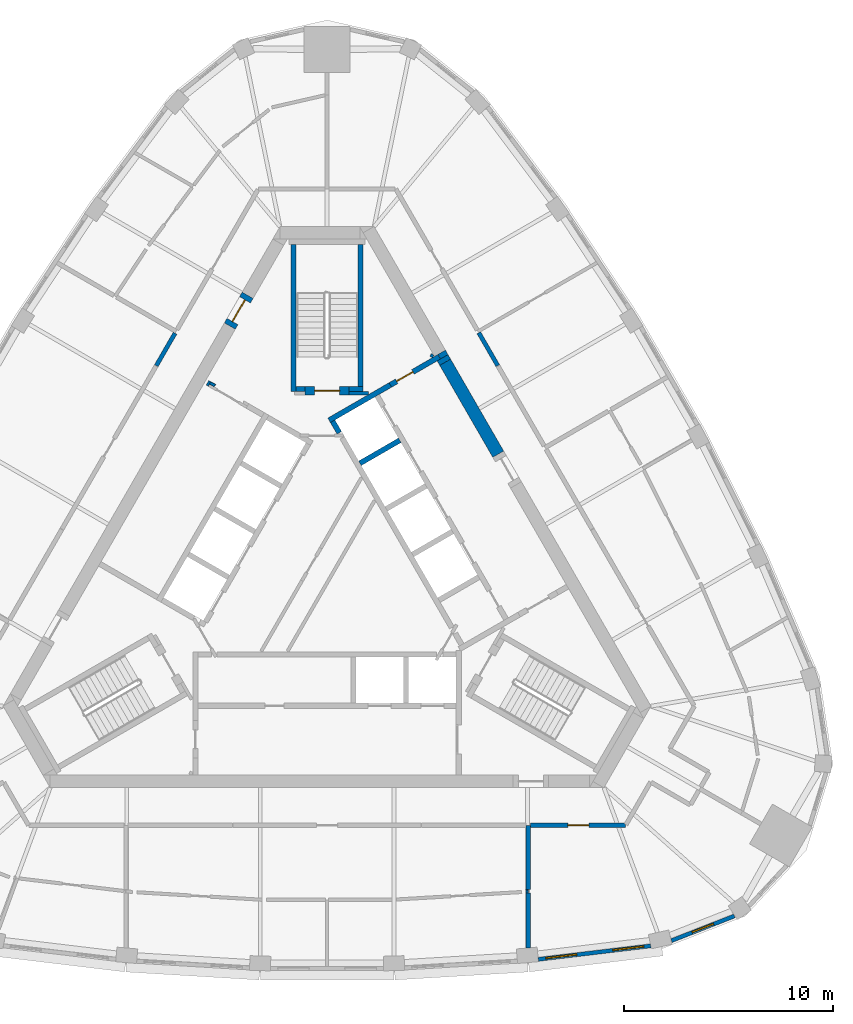
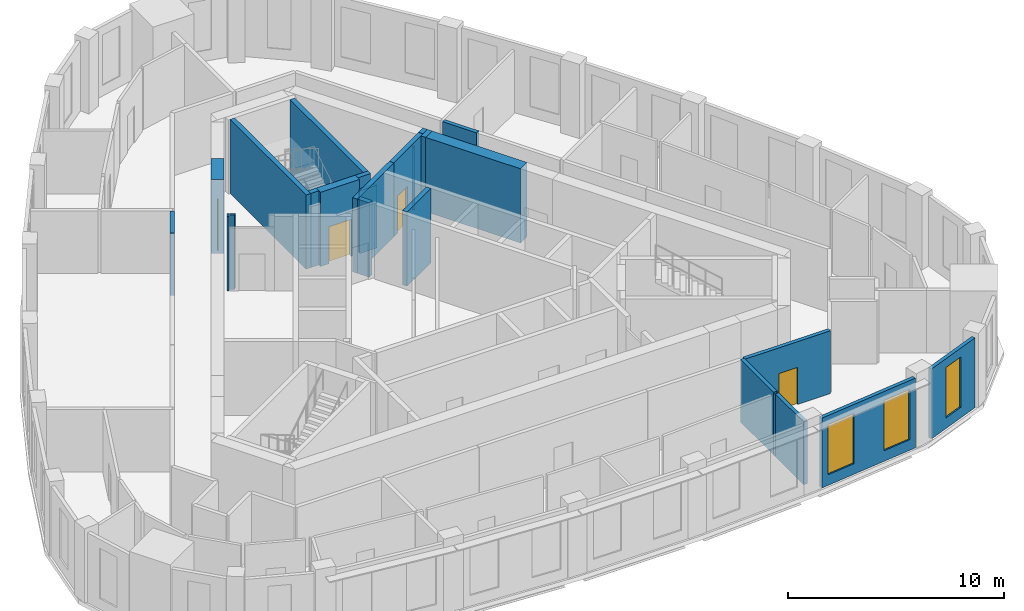
# One storey, part 6 of 10: 25 walls, 4 doors, 3 windows, 7 openings.
"""IFC4 building model written with IfcOpenShell, lengths in metres."""

from ifc_helpers import new_model, si_unit, direction, frame, frame_2d, origin, place, context, subcontext, project, spatial, polyline, rectangle, outline, extrude, material, layer, layer_set, type_object, element, fill, save


model = new_model("IFC4")

# Units and contexts
model_context = context("Model", 3, precision=1e-05, world=origin(), true_north=direction((0.0, 1.0)))
body_context = subcontext(model_context, "Body", "Model", "MODEL_VIEW")
ifc_project = project(units=[si_unit("LENGTHUNIT", "METRE"), si_unit("AREAUNIT", "SQUARE_METRE"), si_unit("VOLUMEUNIT", "CUBIC_METRE"), si_unit("PLANEANGLEUNIT", "RADIAN"), si_unit("MASSUNIT", "GRAM", prefix="KILO")], contexts=[model_context])

# Site, building, storey
site_placement = place(None, origin())
site = spatial("IfcSite", under=ifc_project, at=site_placement, CompositionType="ELEMENT")
building_placement = place(site_placement, origin())
building = spatial("IfcBuilding", under=site, at=building_placement, Name="Mestral Congress Tower", CompositionType="ELEMENT")
storey_placement = place(building_placement, frame((0.0, 0.0, 304.800048828125)))
storey = spatial("IfcBuildingStorey", under=building, at=storey_placement, Name="L71", CompositionType="ELEMENT", Elevation=304.800048828125)

# Walls
ifc_material_1 = material(Name="Fire-rated board partition")
ifc_layer_1 = layer(ifc_material_1, 0.14990234375)
ifc_layer_set_1 = layer_set([ifc_layer_1], Name="Fire-rated board partition")
wall_type_1 = type_object("IfcWallType", Name="Core partition 150", PredefinedType="PARTITIONING", material=ifc_layer_set_1)
wall_1_placement = place(storey_placement, frame((1.050048828125, 8.62548828125, 0.0), z_axis=(0.0, 0.0, 1.0), x_axis=(1.0, 0.0, 0.0)))
element("IfcWall", 1, at=wall_1_placement, inside=storey, type_object=wall_type_1, Name="L71 core wall", PredefinedType="PARTITIONING", context=body_context, shape_type="SweptSolid", body=[
    extrude(rectangle(XDim=0.9287109375, YDim=0.14990234375, at=frame_2d((0.46435546875, 0.0))), origin(), (0.0, 0.0, 1.0), 3.550048828125),
])
wall_2_placement = place(storey_placement, frame((4.97998046875, 10.35791015625, 0.0), z_axis=(0.0, 0.0, 1.0), x_axis=(0.500640202437, 0.86565546709, 0.0)))
element("IfcWall", 2, at=wall_2_placement, inside=storey, type_object=wall_type_1, Name="L71 core wall", PredefinedType="PARTITIONING", context=body_context, shape_type="SweptSolid", body=[
    extrude(rectangle(XDim=0.145751953125, YDim=0.14990234375, at=frame_2d((0.07275390625, 0.0))), origin(), (0.0, 0.0, 1.0), 3.550048828125),
])
ifc_material_2 = material(Name="Concrete C60/75", Category="concrete")
ifc_layer_2 = layer(ifc_material_2, 0.60009765625)
ifc_layer_set_2 = layer_set([ifc_layer_2], Name="Concrete C60/75")
wall_type_2 = type_object("IfcWallType", Name="Core wall RC 600", PredefinedType="SOLIDWALL", material=ifc_layer_set_2)
wall_3_placement = place(storey_placement, frame((5.52880859375, 10.32421875, 0.0), z_axis=(0.0, 0.0, 1.0), x_axis=(0.499122205112, -0.866531606097, 0.0)))
element("IfcWall", 3, at=wall_3_placement, inside=storey, type_object=wall_type_2, Name="L71 core wall", PredefinedType="SOLIDWALL", context=body_context, shape_type="SweptSolid", body=[
    extrude(rectangle(XDim=0.24658203125, YDim=0.60009765625, at=frame_2d((0.123291015625, 0.0))), origin(), (0.0, 0.0, 1.0), 4.199951171875),
])
placement = place(storey_placement, origin())
element("IfcWall", 4, at=placement, inside=storey, type_object=wall_type_2, Name="L71 core wall", PredefinedType="SOLIDWALL", context=body_context, shape_type="SweptSolid", body=[
    extrude(outline(polyline([(5.66357421875, 10.690673828125), (5.78759765625, 10.475830078125), (5.432373046875, 10.270751953125), (5.308349609375, 10.485595703125), (5.66357421875, 10.690673828125)])), origin(), (0.0, 0.0, 1.0), 4.199951171875),
])
wall_5_placement = place(storey_placement, frame((8.19189453125, 5.711181640625, 0.0), z_axis=(0.0, 0.0, 1.0), x_axis=(-0.500006836656, 0.866021456604, 0.0)))
element("IfcWall", 5, at=wall_5_placement, inside=storey, type_object=wall_type_2, Name="L71 core wall", PredefinedType="SOLIDWALL", context=body_context, shape_type="SweptSolid", body=[
    extrude(rectangle(XDim=5.078125, YDim=0.60009765625, at=frame_2d((2.5390625, 0.0))), origin(), (0.0, 0.0, 1.0), 4.199951171875),
])

# Wall, opening, door
wall_6_placement = place(storey_placement, frame((-4.65234375, 11.842041015625, 0.0), z_axis=(0.0, 0.0, 1.0), x_axis=(0.500062241894, 0.865989465428, 0.0)))
wall_6 = element("IfcWall", 6, at=wall_6_placement, inside=storey, type_object=wall_type_2, Name="L71 door wall", PredefinedType="SOLIDWALL", context=body_context, shape_type="SweptSolid", body=[
    extrude(rectangle(XDim=1.699951171875, YDim=0.60009765625, at=frame_2d((0.85009765625, 0.0))), origin(), (0.0, 0.0, 1.0), 4.199951171875),
])
opening_1_placement = place(wall_6_placement, frame((0.25, 0.0, 0.0)))
opening_1 = element("IfcOpeningElement", 7, at=opening_1_placement, cuts=wall_6, Name="Opening XD2", PredefinedType="OPENING", context=body_context, shape_type="SweptSolid", body=[
    extrude(rectangle(XDim=1.199951171875, YDim=2.10009765625, at=frame_2d((0.60009765625, 1.050048828125))), frame((0.0, 0.31005859375, 0.0), z_axis=(0.0, -1.0, 0.0), x_axis=(1.0, 0.0, 0.0)), (0.0, 0.0, 1.0), 0.6201171875),
])
ifc_material_3 = material(Name="Fire-rated steel door set", Category="steel")
door_type_1 = type_object("IfcDoorType", Name="Core door XD 1200x2100", OperationType="SINGLE_SWING_LEFT", PredefinedType="DOOR", material=ifc_material_3)
door_1_placement = place(opening_1_placement, origin())
door_1 = element("IfcDoor", 8, at=door_1_placement, inside=storey, type_object=door_type_1, Name="Door XD2", OperationType="SINGLE_SWING_LEFT", OverallHeight=2.10009765625, OverallWidth=1.199951171875, PredefinedType="DOOR", context=body_context, shape_type="SweptSolid", body=[
    extrude(rectangle(XDim=1.199951171875, YDim=2.10009765625, at=frame_2d((0.60009765625, 1.050048828125))), frame((0.0, 0.02490234375, 0.0), z_axis=(0.0, -1.0, 0.0), x_axis=(1.0, 0.0, 0.0)), (0.0, 0.0, 1.0), 0.050048828125),
])
fill(opening_1, door_1)

# Wall, openings, windows
ifc_material_4 = material(Name="Precast concrete C40/50 with limestone facing", Category="masonry")
ifc_layer_3 = layer(ifc_material_4, 0.18994140625)
ifc_layer_set_3 = layer_set([ifc_layer_3], Name="Precast concrete C40/50 with limestone facing")
wall_type_3 = type_object("IfcWallType", Name="Facade stone wall 190", PredefinedType="SOLIDWALL", material=ifc_layer_set_3)
wall_7_placement = place(storey_placement, frame((10.110595703125, -18.4677734375, 0.0), z_axis=(0.0, 0.0, 1.0), x_axis=(0.992885582795, 0.119072328769, 0.0)))
wall_7 = element("IfcWall", 9, at=wall_7_placement, inside=storey, type_object=wall_type_3, Name="Facade wall F0-04", PredefinedType="SOLIDWALL", context=body_context, shape_type="SweptSolid", body=[
    extrude(rectangle(XDim=5.4150390625, YDim=0.18994140625, at=frame_2d((2.70751953125, 0.0))), origin(), (0.0, 0.0, 1.0), 3.949951171875),
])
opening_2_placement = place(wall_7_placement, frame((0.357421875, 0.0, 0.60009765625)))
opening_2 = element("IfcOpeningElement", 10, at=opening_2_placement, cuts=wall_7, Name="Opening W6", PredefinedType="OPENING", context=body_context, shape_type="SweptSolid", body=[
    extrude(rectangle(XDim=1.5, YDim=2.85009765625, at=frame_2d((0.75, 1.425048828125))), frame((0.0, 0.10498046875, 0.0), z_axis=(0.0, -1.0, 0.0), x_axis=(1.0, 0.0, 0.0)), (0.0, 0.0, 1.0), 0.2099609375),
])
opening_3_placement = place(wall_7_placement, frame((3.592529296875, 0.0, 0.60009765625)))
opening_3 = element("IfcOpeningElement", 11, at=opening_3_placement, cuts=wall_7, Name="Opening W6", PredefinedType="OPENING", context=body_context, shape_type="SweptSolid", body=[
    extrude(rectangle(XDim=1.5, YDim=2.85009765625, at=frame_2d((0.75, 1.425048828125))), frame((0.0, 0.10498046875, 0.0), z_axis=(0.0, -1.0, 0.0), x_axis=(1.0, 0.0, 0.0)), (0.0, 0.0, 1.0), 0.2099609375),
])
ifc_material_5 = material(Name="Clear low-emissivity double glazing", Category="glass")
window_type_1 = type_object("IfcWindowType", Name="Facade punched window 1500 x 2850 sill 600", PartitioningType="SINGLE_PANEL", PredefinedType="WINDOW", material=ifc_material_5)
window_1_placement = place(opening_2_placement, origin())
window_1 = element("IfcWindow", 12, at=window_1_placement, inside=storey, type_object=window_type_1, Name="Window F0-04a", OverallHeight=2.85009765625, OverallWidth=1.5, PartitioningType="SINGLE_PANEL", PredefinedType="WINDOW", context=body_context, shape_type="SweptSolid", body=[
    extrude(rectangle(XDim=1.5, YDim=2.85009765625, at=frame_2d((0.75, 1.425048828125))), frame((0.0, 0.044921875, 0.0), z_axis=(0.0, -1.0, 0.0), x_axis=(1.0, 0.0, 0.0)), (0.0, 0.0, 1.0), 0.06005859375),
])
fill(opening_2, window_1)
window_2_placement = place(opening_3_placement, origin())
window_2 = element("IfcWindow", 13, at=window_2_placement, inside=storey, type_object=window_type_1, Name="Window F0-04b", OverallHeight=2.85009765625, OverallWidth=1.5, PartitioningType="SINGLE_PANEL", PredefinedType="WINDOW", context=body_context, shape_type="SweptSolid", body=[
    extrude(rectangle(XDim=1.5, YDim=2.85009765625, at=frame_2d((0.75, 1.425048828125))), frame((0.0, 0.044921875, 0.0), z_axis=(0.0, -1.0, 0.0), x_axis=(1.0, 0.0, 0.0)), (0.0, 0.0, 1.0), 0.06005859375),
])
fill(opening_3, window_2)

# Wall, opening, window
wall_8_placement = place(storey_placement, frame((16.48291015625, -17.572998046875, 0.0), z_axis=(0.0, 0.0, 1.0), x_axis=(0.93100888477, 0.364996515709, 0.0)))
wall_8 = element("IfcWall", 14, at=wall_8_placement, inside=storey, type_object=wall_type_3, Name="Facade wall K0-0", PredefinedType="SOLIDWALL", context=body_context, shape_type="SweptSolid", body=[
    extrude(rectangle(XDim=3.23681640625, YDim=0.18994140625, at=frame_2d((1.618408203125, 0.0))), origin(), (0.0, 0.0, 1.0), 3.949951171875),
])
opening_4_placement = place(wall_8_placement, frame((1.068359375, 0.0, 0.60009765625)))
opening_4 = element("IfcOpeningElement", 15, at=opening_4_placement, cuts=wall_8, Name="Opening W7", PredefinedType="OPENING", context=body_context, shape_type="SweptSolid", body=[
    extrude(rectangle(XDim=1.10009765625, YDim=2.85009765625, at=frame_2d((0.550048828125, 1.425048828125))), frame((0.0, 0.10498046875, 0.0), z_axis=(0.0, -1.0, 0.0), x_axis=(1.0, 0.0, 0.0)), (0.0, 0.0, 1.0), 0.2099609375),
])
window_type_2 = type_object("IfcWindowType", Name="Facade punched window 1100 x 2850 sill 600", PartitioningType="SINGLE_PANEL", PredefinedType="WINDOW", material=ifc_material_5)
window_3_placement = place(opening_4_placement, origin())
window_3 = element("IfcWindow", 16, at=window_3_placement, inside=storey, type_object=window_type_2, Name="Window K0-0", OverallHeight=2.85009765625, OverallWidth=1.10009765625, PartitioningType="SINGLE_PANEL", PredefinedType="WINDOW", context=body_context, shape_type="SweptSolid", body=[
    extrude(rectangle(XDim=1.10009765625, YDim=2.85009765625, at=frame_2d((0.550048828125, 1.425048828125))), frame((0.0, 0.044921875, 0.0), z_axis=(0.0, -1.0, 0.0), x_axis=(1.0, 0.0, 0.0)), (0.0, 0.0, 1.0), 0.06005859375),
])
fill(opening_4, window_3)

# Walls
ifc_material_6 = material(Name="Plasterboard partition on steel studs", Category="steel")
ifc_layer_4 = layer(ifc_material_6, 0.14990234375)
ifc_layer_set_4 = layer_set([ifc_layer_4], Name="Plasterboard partition on steel studs")
wall_type_4 = type_object("IfcWallType", Name="Office partition 150", PredefinedType="PARTITIONING", material=ifc_layer_set_4)
wall_9_placement = place(storey_placement, frame((9.528076171875, -15.218994140625, 0.0), z_axis=(0.0, 0.0, 1.0), x_axis=(0.992830592569, 0.119529973061, 0.0)))
element("IfcWall", 17, at=wall_9_placement, inside=storey, type_object=wall_type_4, Name="Partition", PredefinedType="PARTITIONING", context=body_context, shape_type="SweptSolid", body=[
    extrude(rectangle(XDim=0.10009765625, YDim=0.14990234375, at=frame_2d((0.050048828125, 0.0))), origin(), (0.0, 0.0, 1.0), 3.550048828125),
])
ifc_material_7 = material(Name="Dense masonry wall, plastered", Category="masonry")
ifc_layer_5 = layer(ifc_material_7, 0.199951171875)
ifc_layer_set_5 = layer_set([ifc_layer_5], Name="Dense masonry wall, plastered")
wall_type_5 = type_object("IfcWallType", Name="Office tenancy wall 200", PredefinedType="PARTITIONING", material=ifc_layer_set_5)
wall_10_placement = place(storey_placement, frame((9.62744140625, -15.28271484375, 0.0), z_axis=(0.0, 0.0, 1.0), x_axis=(0.0, -1.0, 0.0)))
element("IfcWall", 18, at=wall_10_placement, inside=storey, type_object=wall_type_5, Name="Tenancy wall", PredefinedType="PARTITIONING", context=body_context, shape_type="SweptSolid", body=[
    extrude(rectangle(XDim=2.635986328125, YDim=0.199951171875, at=frame_2d((1.31787109375, 0.0))), origin(), (0.0, 0.0, 1.0), 3.550048828125),
])
wall_11_placement = place(storey_placement, frame((9.62744140625, -12.050048828125, 0.0), z_axis=(0.0, 0.0, 1.0), x_axis=(0.0, -1.0, 0.0)))
element("IfcWall", 19, at=wall_11_placement, inside=storey, type_object=wall_type_5, Name="Tenancy wall", PredefinedType="PARTITIONING", context=body_context, shape_type="SweptSolid", body=[
    extrude(rectangle(XDim=3.08154296875, YDim=0.199951171875, at=frame_2d((1.540771484375, 0.0))), origin(), (0.0, 0.0, 1.0), 3.550048828125),
])

# Wall, opening, door
wall_12_placement = place(storey_placement, frame((9.727294921875, -12.050048828125, 0.0), z_axis=(0.0, 0.0, 1.0), x_axis=(1.0, 0.0, 0.0)))
wall_12 = element("IfcWall", 20, at=wall_12_placement, inside=storey, type_object=wall_type_5, Name="Tenancy wall", PredefinedType="PARTITIONING", context=body_context, shape_type="SweptSolid", body=[
    extrude(rectangle(XDim=4.56201171875, YDim=0.199951171875, at=frame_2d((2.281005859375, 0.0))), origin(), (0.0, 0.0, 1.0), 3.550048828125),
])
opening_5_placement = place(wall_12_placement, frame((1.800048828125, 0.0, 0.0)))
opening_5 = element("IfcOpeningElement", 21, at=opening_5_placement, cuts=wall_12, Name="Opening O14-004", PredefinedType="OPENING", context=body_context, shape_type="SweptSolid", body=[
    extrude(rectangle(XDim=1.0, YDim=2.10009765625, at=frame_2d((0.5, 1.050048828125))), frame((0.0, 0.10986328125, 0.0), z_axis=(0.0, -1.0, 0.0), x_axis=(1.0, 0.0, 0.0)), (0.0, 0.0, 1.0), 0.219970703125),
])
ifc_material_8 = material(Name="Fire-rated timber door set", Category="wood")
door_type_2 = type_object("IfcDoorType", Name="Office tenancy entrance door 1000x2100", OperationType="SINGLE_SWING_LEFT", PredefinedType="DOOR", material=ifc_material_8)
door_2_placement = place(opening_5_placement, origin())
door_2 = element("IfcDoor", 22, at=door_2_placement, inside=storey, type_object=door_type_2, Name="Door O14-004", OperationType="SINGLE_SWING_RIGHT", OverallHeight=2.10009765625, OverallWidth=1.0, PredefinedType="DOOR", context=body_context, shape_type="SweptSolid", body=[
    extrude(rectangle(XDim=1.0, YDim=2.10009765625, at=frame_2d((0.5, 1.050048828125))), frame((0.0, 0.02490234375, 0.0), z_axis=(0.0, -1.0, 0.0), x_axis=(1.0, 0.0, 0.0)), (0.0, 0.0, 1.0), 0.050048828125),
])
fill(opening_5, door_2)

# Walls
wall_13_placement = place(storey_placement, frame((8.170654296875, 9.947998046875, 0.0), z_axis=(0.0, 0.0, 1.0), x_axis=(-0.500044545065, 0.865999684151, 0.0)))
element("IfcWall", 23, at=wall_13_placement, inside=storey, type_object=wall_type_5, Name="Tenancy wall", PredefinedType="PARTITIONING", context=body_context, shape_type="SweptSolid", body=[
    extrude(rectangle(XDim=1.815185546875, YDim=0.199951171875, at=frame_2d((0.90771484375, 0.0))), origin(), (0.0, 0.0, 1.0), 3.550048828125),
])
wall_14_placement = place(storey_placement, frame((-7.275390625, 11.49853515625, 0.0), z_axis=(0.0, 0.0, 1.0), x_axis=(-0.500025407441, -0.866010734295, 0.0)))
element("IfcWall", 24, at=wall_14_placement, inside=storey, type_object=wall_type_5, Name="Tenancy wall", PredefinedType="PARTITIONING", context=body_context, shape_type="SweptSolid", body=[
    extrude(rectangle(XDim=1.79052734375, YDim=0.199951171875, at=frame_2d((0.895263671875, 0.0))), origin(), (0.0, 0.0, 1.0), 3.550048828125),
])
ifc_layer_6 = layer(ifc_material_2, 0.25)
ifc_layer_set_6 = layer_set([ifc_layer_6], Name="Concrete C60/75")
wall_type_6 = type_object("IfcWallType", Name="Shaft wall RC 250", PredefinedType="SOLIDWALL", material=ifc_layer_set_6)
wall_15_placement = place(storey_placement, frame((3.02783203125, 9.022705078125, 0.0), z_axis=(0.0, 0.0, 1.0), x_axis=(-0.866036587186, -0.49998062928, 0.0)))
element("IfcWall", 25, at=wall_15_placement, inside=storey, type_object=wall_type_6, Name="L71 core wall", PredefinedType="SOLIDWALL", context=body_context, shape_type="SweptSolid", body=[
    extrude(rectangle(XDim=3.383544921875, YDim=0.25, at=frame_2d((1.69189453125, 0.0))), origin(), (0.0, 0.0, 1.0), 4.199951171875),
])
wall_16_placement = place(storey_placement, frame((0.268310546875, 7.28515625, 0.0), z_axis=(0.0, 0.0, 1.0), x_axis=(0.500098681536, -0.865968422476, 0.0)))
element("IfcWall", 26, at=wall_16_placement, inside=storey, type_object=wall_type_6, Name="L71 core wall", PredefinedType="SOLIDWALL", context=body_context, shape_type="SweptSolid", body=[
    extrude(rectangle(XDim=0.636474609375, YDim=0.25, at=frame_2d((0.318359375, 0.0))), origin(), (0.0, 0.0, 1.0), 4.199951171875),
])
wall_17_placement = place(storey_placement, frame((1.57421875, 5.273681640625, 0.0), z_axis=(0.0, 0.0, 1.0), x_axis=(0.866028486751, 0.499994660107, 0.0)))
element("IfcWall", 27, at=wall_17_placement, inside=storey, type_object=wall_type_6, Name="L71 core wall", PredefinedType="SOLIDWALL", context=body_context, shape_type="SweptSolid", body=[
    extrude(rectangle(XDim=2.19970703125, YDim=0.25, at=frame_2d((1.099853515625, 0.0))), origin(), (0.0, 0.0, 1.0), 4.199951171875),
])
wall_18_placement = place(storey_placement, frame((-5.724609375, 9.124755859375, 0.0), z_axis=(0.0, 0.0, 1.0), x_axis=(0.866185586049, -0.49972245349, 0.0)))
element("IfcWall", 28, at=wall_18_placement, inside=storey, type_object=wall_type_6, Name="L71 core wall", PredefinedType="SOLIDWALL", context=body_context, shape_type="SweptSolid", body=[
    extrude(rectangle(XDim=0.10986328125, YDim=0.25, at=frame_2d((0.054931640625, 0.0))), origin(), (0.0, 0.0, 1.0), 4.199951171875),
])
element("IfcWall", 29, at=placement, inside=storey, type_object=wall_type_6, Name="L71 core wall", PredefinedType="SOLIDWALL", context=body_context, shape_type="SweptSolid", body=[
    extrude(outline(polyline([(-5.688720703125, 8.959716796875), (-5.690185546875, 8.960693359375), (-5.565185546875, 9.177001953125), (-5.318603515625, 9.03466796875), (-5.334716796875, 9.02587890625), (-5.3505859375, 9.0146484375), (-5.36572265625, 9.001953125), (-5.37939453125, 8.98779296875), (-5.3916015625, 8.972412109375), (-5.402099609375, 8.955810546875), (-5.412109375, 8.938720703125), (-5.628662109375, 9.063720703125), (-5.628662109375, 9.063720703125), (-5.688720703125, 8.959716796875)])), origin(), (0.0, 0.0, 1.0), 4.199951171875),
])

# Wall, opening, door
wall_20_placement = place(storey_placement, frame((5.3662109375, 10.372802734375, 0.0), z_axis=(0.0, 0.0, 1.0), x_axis=(-0.866019956843, -0.50000943426, 0.0)))
wall_20 = element("IfcWall", 30, at=wall_20_placement, inside=storey, type_object=wall_type_6, Name="L71 door wall", PredefinedType="SOLIDWALL", context=body_context, shape_type="SweptSolid", body=[
    extrude(rectangle(XDim=2.7001953125, YDim=0.25, at=frame_2d((1.35009765625, 0.0))), origin(), (0.0, 0.0, 1.0), 4.199951171875),
])
opening_6_placement = place(wall_20_placement, frame((1.449951171875, 0.0, 0.0)))
opening_6 = element("IfcOpeningElement", 31, at=opening_6_placement, cuts=wall_20, Name="Opening TD2", PredefinedType="OPENING", context=body_context, shape_type="SweptSolid", body=[
    extrude(rectangle(XDim=0.89990234375, YDim=2.10009765625, at=frame_2d((0.449951171875, 1.050048828125))), frame((0.0, 0.135009765625, 0.0), z_axis=(0.0, -1.0, 0.0), x_axis=(1.0, 0.0, 0.0)), (0.0, 0.0, 1.0), 0.27001953125),
])
door_type_3 = type_object("IfcDoorType", Name="Core door SR 900x2100", OperationType="SINGLE_SWING_LEFT", PredefinedType="DOOR", material=ifc_material_3)
door_3_placement = place(opening_6_placement, origin())
door_3 = element("IfcDoor", 32, at=door_3_placement, inside=storey, type_object=door_type_3, Name="Door TD2", OperationType="SINGLE_SWING_LEFT", OverallHeight=2.10009765625, OverallWidth=0.89990234375, PredefinedType="DOOR", context=body_context, shape_type="SweptSolid", body=[
    extrude(rectangle(XDim=0.89990234375, YDim=2.10009765625, at=frame_2d((0.449951171875, 1.050048828125))), frame((0.0, 0.02490234375, 0.0), z_axis=(0.0, -1.0, 0.0), x_axis=(1.0, 0.0, 0.0)), (0.0, 0.0, 1.0), 0.050048828125),
])
fill(opening_6, door_3)

# Walls
ifc_layer_7 = layer(ifc_material_2, 0.25)
ifc_layer_set_7 = layer_set([ifc_layer_7], Name="Concrete C60/75")
wall_type_7 = type_object("IfcWallType", Name="Stair wall RC 250", PredefinedType="SOLIDWALL", material=ifc_layer_set_7)
wall_21_placement = place(storey_placement, frame((1.60009765625, 8.949951171875, 0.0), z_axis=(0.0, 0.0, 1.0), x_axis=(0.0, 1.0, 0.0)))
element("IfcWall", 33, at=wall_21_placement, inside=storey, type_object=wall_type_7, Name="L71 core wall", PredefinedType="SOLIDWALL", context=body_context, shape_type="SweptSolid", body=[
    extrude(rectangle(XDim=6.800048828125, YDim=0.25, at=frame_2d((3.39990234375, 0.0))), origin(), (0.0, 0.0, 1.0), 4.199951171875),
])
wall_22_placement = place(storey_placement, frame((1.050048828125, 8.824951171875, 0.0), z_axis=(0.0, 0.0, 1.0), x_axis=(1.0, 0.0, 0.0)))
element("IfcWall", 34, at=wall_22_placement, inside=storey, type_object=wall_type_7, Name="L71 core wall", PredefinedType="SOLIDWALL", context=body_context, shape_type="SweptSolid", body=[
    extrude(rectangle(XDim=0.675048828125, YDim=0.25, at=frame_2d((0.33740234375, 0.0))), origin(), (0.0, 0.0, 1.0), 4.199951171875),
])
wall_23_placement = place(storey_placement, frame((-1.60009765625, 8.699951171875, 0.0), z_axis=(0.0, 0.0, 1.0), x_axis=(0.0, 1.0, 0.0)))
element("IfcWall", 35, at=wall_23_placement, inside=storey, type_object=wall_type_7, Name="L71 core wall", PredefinedType="SOLIDWALL", context=body_context, shape_type="SweptSolid", body=[
    extrude(rectangle(XDim=7.050048828125, YDim=0.25, at=frame_2d((3.52490234375, 0.0))), origin(), (0.0, 0.0, 1.0), 4.199951171875),
])
wall_24_placement = place(storey_placement, frame((-1.47509765625, 8.824951171875, 0.0), z_axis=(0.0, 0.0, 1.0), x_axis=(1.0, 0.0, 0.0)))
element("IfcWall", 36, at=wall_24_placement, inside=storey, type_object=wall_type_7, Name="L71 core wall", PredefinedType="SOLIDWALL", context=body_context, shape_type="SweptSolid", body=[
    extrude(rectangle(XDim=0.425048828125, YDim=0.25, at=frame_2d((0.21240234375, 0.0))), origin(), (0.0, 0.0, 1.0), 4.199951171875),
])

# Wall, opening, door
ifc_layer_8 = layer(ifc_material_2, 0.39990234375)
ifc_layer_set_8 = layer_set([ifc_layer_8], Name="Concrete C60/75")
wall_type_8 = type_object("IfcWallType", Name="Stair wall RC 250 door-wall 400", PredefinedType="SOLIDWALL", material=ifc_layer_set_8)
wall_25_placement = place(storey_placement, frame((1.050048828125, 8.75, 0.0), z_axis=(0.0, 0.0, 1.0), x_axis=(-1.0, 0.0, 0.0)))
wall_25 = element("IfcWall", 37, at=wall_25_placement, inside=storey, type_object=wall_type_8, Name="L71 door wall", PredefinedType="SOLIDWALL", context=body_context, shape_type="SweptSolid", body=[
    extrude(rectangle(XDim=2.10009765625, YDim=0.39990234375, at=frame_2d((1.050048828125, 0.0))), origin(), (0.0, 0.0, 1.0), 4.199951171875),
])
opening_7_placement = place(wall_25_placement, frame((0.449951171875, 0.0, 0.0)))
opening_7 = element("IfcOpeningElement", 38, at=opening_7_placement, cuts=wall_25, Name="Opening ST-D2", PredefinedType="OPENING", context=body_context, shape_type="SweptSolid", body=[
    extrude(rectangle(XDim=1.199951171875, YDim=2.10009765625, at=frame_2d((0.60009765625, 1.050048828125))), frame((0.0, 0.2099609375, 0.0), z_axis=(0.0, -1.0, 0.0), x_axis=(1.0, 0.0, 0.0)), (0.0, 0.0, 1.0), 0.419921875),
])
door_type_4 = type_object("IfcDoorType", Name="Core door ST 1200x2100", OperationType="SINGLE_SWING_LEFT", PredefinedType="DOOR", material=ifc_material_3)
door_4_placement = place(opening_7_placement, origin())
door_4 = element("IfcDoor", 39, at=door_4_placement, inside=storey, type_object=door_type_4, Name="Door ST-D2", OperationType="SINGLE_SWING_LEFT", OverallHeight=2.10009765625, OverallWidth=1.199951171875, PredefinedType="DOOR", context=body_context, shape_type="SweptSolid", body=[
    extrude(rectangle(XDim=1.199951171875, YDim=2.10009765625, at=frame_2d((0.60009765625, 1.050048828125))), frame((0.0, 0.02490234375, 0.0), z_axis=(0.0, -1.0, 0.0), x_axis=(1.0, 0.0, 0.0)), (0.0, 0.0, 1.0), 0.050048828125),
])
fill(opening_7, door_4)

save(model, "model.ifc")
